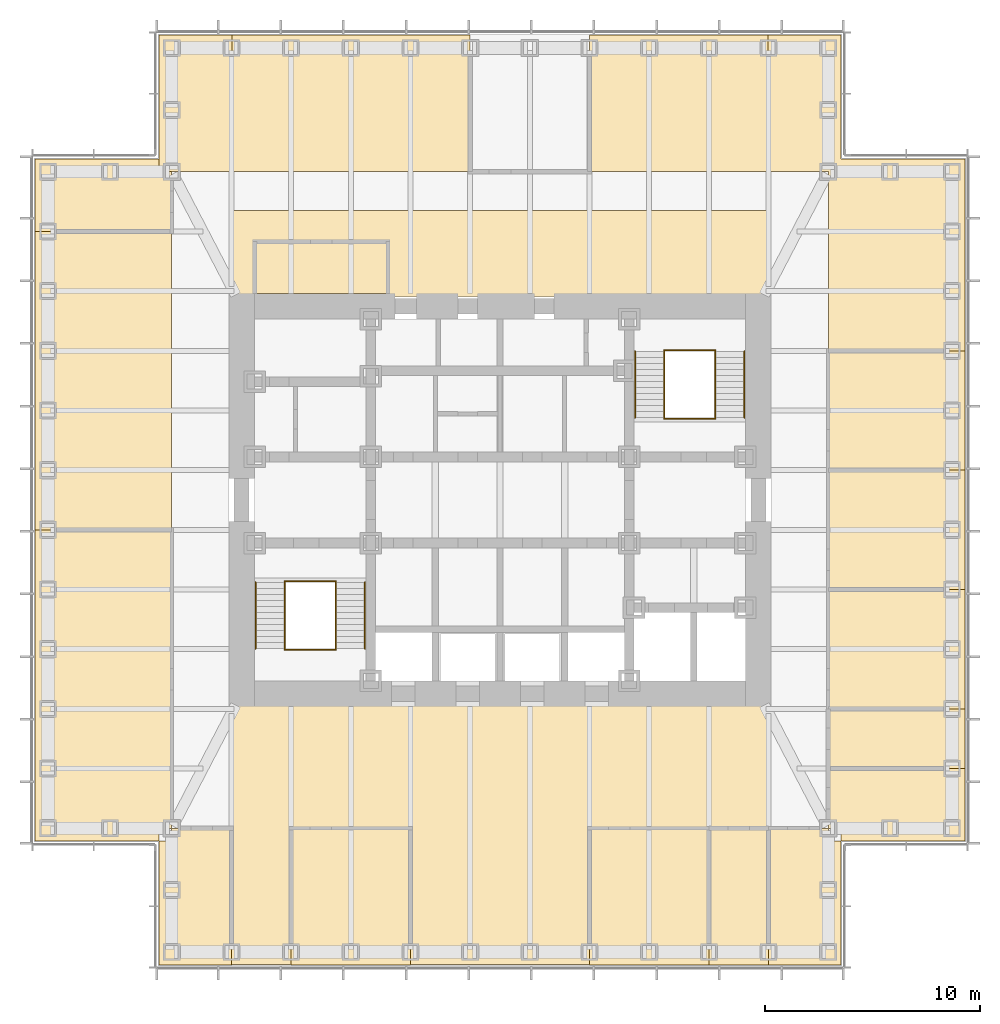
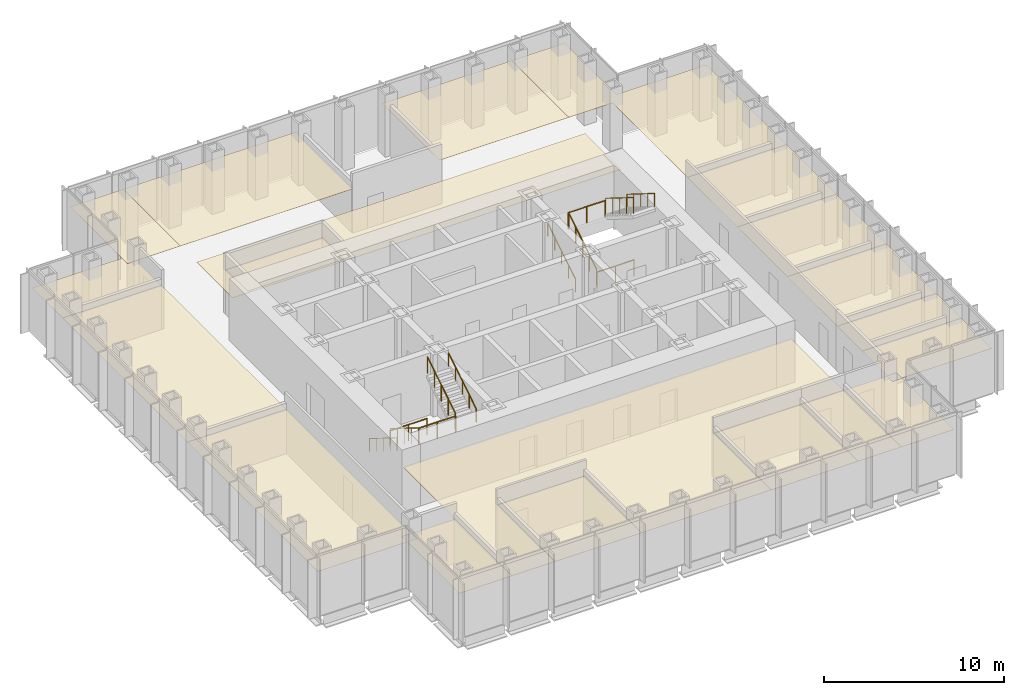
# One storey, part 16 of 16: 20 coverings, 12 railings.
"""IFC4 building model written with IfcOpenShell, lengths in metres."""

from ifc_helpers import new_model, si_unit, direction, frame, origin, origin_2d, place, context, subcontext, project, spatial, polyline, circle, outline, extrude, material, layer, layer_set, type_object, element, save


model = new_model("IFC4")

# Units and contexts
model_context = context("Model", 3, precision=1e-05, world=origin(), true_north=direction((0.0, 1.0)))
body_context = subcontext(model_context, "Body", "Model", "MODEL_VIEW")
ifc_project = project(units=[si_unit("LENGTHUNIT", "METRE"), si_unit("AREAUNIT", "SQUARE_METRE"), si_unit("VOLUMEUNIT", "CUBIC_METRE"), si_unit("PLANEANGLEUNIT", "RADIAN"), si_unit("MASSUNIT", "GRAM", prefix="KILO")], contexts=[model_context])

# Site, building, storey
site_placement = place(None, origin())
site = spatial("IfcSite", under=ifc_project, at=site_placement, CompositionType="ELEMENT")
building_placement = place(site_placement, origin())
building = spatial("IfcBuilding", under=site, at=building_placement, Name="Daluyong Arena Tower", CompositionType="ELEMENT")
storey_placement = place(building_placement, frame((0.0, 0.0, 271.300048828125)))
storey = spatial("IfcBuildingStorey", under=building, at=storey_placement, Name="L61", CompositionType="ELEMENT", Elevation=271.300048828125)

# Coverings
ifc_material_1 = material(Name="Mineral fibre ceiling tile", Category="gypsum board")
ifc_layer = layer(ifc_material_1, 0.02001953125)
ifc_layer_set = layer_set([ifc_layer], Name="Mineral fibre ceiling tile")
covering_type = type_object("IfcCoveringType", Name="Office ceiling", PredefinedType="CEILING", material=ifc_layer_set)
covering_1_placement = place(storey_placement, frame((0.0, 0.0, 2.89990234375)))
element("IfcCovering", 1, at=covering_1_placement, inside=storey, type_object=covering_type, Name="ceiling L61-01", PredefinedType="CEILING", context=body_context, shape_type="SweptSolid", body=[
    extrude(outline(polyline([(40.14990234375, 64.14990234375), (40.14990234375, 58.39990234375), (43.522705078125, 58.39990234375), (43.522705078125, 64.75), (40.75, 64.75), (40.75, 64.14990234375), (40.14990234375, 64.14990234375)])), origin(), (0.0, 0.0, 1.0), 0.02001953125),
])
covering_2_placement = place(storey_placement, frame((0.0, 0.0, 2.89990234375)))
element("IfcCovering", 2, at=covering_2_placement, inside=storey, type_object=covering_type, Name="ceiling L61-02", PredefinedType="CEILING", context=body_context, shape_type="SweptSolid", body=[
    extrude(outline(polyline([(46.29541015625, 64.75), (46.29541015625, 58.39990234375), (51.8408203125, 58.39990234375), (51.8408203125, 64.75), (46.29541015625, 64.75)])), origin(), (0.0, 0.0, 1.0), 0.02001953125),
])
covering_3_placement = place(storey_placement, frame((0.0, 0.0, 2.89990234375)))
element("IfcCovering", 3, at=covering_3_placement, inside=storey, type_object=covering_type, Name="ceiling L61-03", PredefinedType="CEILING", context=body_context, shape_type="SweptSolid", body=[
    extrude(outline(polyline([(60.1591796875, 64.75), (60.1591796875, 58.39990234375), (65.70458984375, 58.39990234375), (65.70458984375, 64.75), (60.1591796875, 64.75)])), origin(), (0.0, 0.0, 1.0), 0.02001953125),
])
covering_4_placement = place(storey_placement, frame((0.0, 0.0, 2.89990234375)))
element("IfcCovering", 4, at=covering_4_placement, inside=storey, type_object=covering_type, Name="ceiling L61-04", PredefinedType="CEILING", context=body_context, shape_type="SweptSolid", body=[
    extrude(outline(polyline([(65.70458984375, 64.75), (65.70458984375, 58.39990234375), (68.477294921875, 58.39990234375), (68.477294921875, 64.75), (65.70458984375, 64.75)])), origin(), (0.0, 0.0, 1.0), 0.02001953125),
])
covering_5_placement = place(storey_placement, frame((0.0, 0.0, 2.89990234375)))
element("IfcCovering", 5, at=covering_5_placement, inside=storey, type_object=covering_type, Name="ceiling L61-05", PredefinedType="CEILING", context=body_context, shape_type="SweptSolid", body=[
    extrude(outline(polyline([(71.85009765625, 58.39990234375), (71.85009765625, 64.14990234375), (71.25, 64.14990234375), (71.25, 64.75), (68.477294921875, 64.75), (68.477294921875, 58.39990234375), (71.85009765625, 58.39990234375)])), origin(), (0.0, 0.0, 1.0), 0.02001953125),
])
covering_6_placement = place(storey_placement, frame((0.0, 0.0, 2.89990234375)))
element("IfcCovering", 6, at=covering_6_placement, inside=storey, type_object=covering_type, Name="ceiling L61-06", PredefinedType="CEILING", context=body_context, shape_type="SweptSolid", body=[
    extrude(outline(polyline([(71.85009765625, 64.14990234375), (77.60009765625, 64.14990234375), (77.60009765625, 67.522705078125), (71.25, 67.522705078125), (71.25, 64.75), (71.85009765625, 64.75), (71.85009765625, 64.14990234375)])), origin(), (0.0, 0.0, 1.0), 0.02001953125),
])
covering_7_placement = place(storey_placement, frame((0.0, 0.0, 2.89990234375)))
element("IfcCovering", 7, at=covering_7_placement, inside=storey, type_object=covering_type, Name="ceiling L61-07", PredefinedType="CEILING", context=body_context, shape_type="SweptSolid", body=[
    extrude(outline(polyline([(71.25, 67.522705078125), (77.60009765625, 67.522705078125), (77.60009765625, 70.29541015625), (71.25, 70.29541015625), (71.25, 67.522705078125)])), origin(), (0.0, 0.0, 1.0), 0.02001953125),
])
covering_8_placement = place(storey_placement, frame((0.0, 0.0, 2.89990234375)))
element("IfcCovering", 8, at=covering_8_placement, inside=storey, type_object=covering_type, Name="ceiling L61-08", PredefinedType="CEILING", context=body_context, shape_type="SweptSolid", body=[
    extrude(outline(polyline([(71.25, 70.29541015625), (77.60009765625, 70.29541015625), (77.60009765625, 75.8408203125), (71.25, 75.8408203125), (71.25, 70.29541015625)])), origin(), (0.0, 0.0, 1.0), 0.02001953125),
])
covering_9_placement = place(storey_placement, frame((0.0, 0.0, 2.89990234375)))
element("IfcCovering", 9, at=covering_9_placement, inside=storey, type_object=covering_type, Name="ceiling L61-09", PredefinedType="CEILING", context=body_context, shape_type="SweptSolid", body=[
    extrude(outline(polyline([(71.25, 75.8408203125), (77.60009765625, 75.8408203125), (77.60009765625, 81.386474609375), (71.25, 81.386474609375), (71.25, 75.8408203125)])), origin(), (0.0, 0.0, 1.0), 0.02001953125),
])
covering_10_placement = place(storey_placement, frame((0.0, 0.0, 2.89990234375)))
element("IfcCovering", 10, at=covering_10_placement, inside=storey, type_object=covering_type, Name="ceiling L61-10", PredefinedType="CEILING", context=body_context, shape_type="SweptSolid", body=[
    extrude(outline(polyline([(71.25, 81.386474609375), (77.60009765625, 81.386474609375), (77.60009765625, 86.931884765625), (71.25, 86.931884765625), (71.25, 81.386474609375)])), origin(), (0.0, 0.0, 1.0), 0.02001953125),
])
covering_11_placement = place(storey_placement, frame((0.0, 0.0, 2.89990234375)))
element("IfcCovering", 11, at=covering_11_placement, inside=storey, type_object=covering_type, Name="ceiling L61-12", PredefinedType="CEILING", context=body_context, shape_type="SweptSolid", body=[
    extrude(outline(polyline([(34.39990234375, 64.14990234375), (40.14990234375, 64.14990234375), (40.14990234375, 64.75), (40.75, 64.75), (40.75, 78.613525390625), (34.39990234375, 78.613525390625), (34.39990234375, 64.14990234375)])), origin(), (0.0, 0.0, 1.0), 0.02001953125),
])
covering_12_placement = place(storey_placement, frame((0.0, 0.0, 2.89990234375)))
element("IfcCovering", 12, at=covering_12_placement, inside=storey, type_object=covering_type, Name="ceiling L61-13", PredefinedType="CEILING", context=body_context, shape_type="SweptSolid", body=[
    extrude(outline(polyline([(40.75, 92.477294921875), (40.75, 95.25), (40.14990234375, 95.25), (40.14990234375, 95.85009765625), (34.39990234375, 95.85009765625), (34.39990234375, 92.477294921875), (40.75, 92.477294921875)])), origin(), (0.0, 0.0, 1.0), 0.02001953125),
])
covering_13_placement = place(storey_placement, frame((0.0, 0.0, 2.89990234375)))
element("IfcCovering", 13, at=covering_13_placement, inside=storey, type_object=covering_type, Name="ceiling L61-14", PredefinedType="CEILING", context=body_context, shape_type="SweptSolid", body=[
    extrude(outline(polyline([(44.60009765625, 89.60009765625), (50.800048828125, 89.60009765625), (50.800048828125, 92.0), (44.60009765625, 92.0), (44.60009765625, 89.60009765625)])), origin(), (0.0, 0.0, 1.0), 0.02001953125),
])
covering_14_placement = place(storey_placement, frame((0.0, 0.0, 2.89990234375)))
element("IfcCovering", 14, at=covering_14_placement, inside=storey, type_object=covering_type, Name="ceiling L61-16", PredefinedType="CEILING", context=body_context, shape_type="SweptSolid", body=[
    extrude(outline(polyline([(43.522705078125, 58.39990234375), (43.550048828125, 58.39990234375), (43.550537109375, 58.409912109375), (46.285400390625, 58.409912109375), (46.285400390625, 64.760009765625), (51.850830078125, 64.760009765625), (51.850830078125, 58.409912109375), (60.149169921875, 58.409912109375), (60.149169921875, 64.760009765625), (68.43994140625, 64.760009765625), (68.43994140625, 70.5400390625), (43.56005859375, 70.5400390625), (43.56005859375, 64.75), (43.522705078125, 64.749755859375), (43.522705078125, 58.39990234375)])), origin(), (0.0, 0.0, 1.0), 0.02001953125),
])
covering_15_placement = place(storey_placement, frame((0.0, 0.0, 2.89990234375)))
element("IfcCovering", 15, at=covering_15_placement, inside=storey, type_object=covering_type, Name="ceiling L61-17", PredefinedType="CEILING", context=body_context, shape_type="SweptSolid", body=[
    extrude(outline(polyline([(71.85009765625, 101.60009765625), (68.449951171875, 101.60009765625), (68.449951171875, 95.25), (71.25, 95.25), (71.25, 86.931884765625), (77.60009765625, 86.931884765625), (77.60009765625, 95.85009765625), (71.85009765625, 95.85009765625), (71.85009765625, 101.60009765625)])), origin(), (0.0, 0.0, 1.0), 0.02001953125),
])
covering_16_placement = place(storey_placement, frame((0.0, 0.0, 2.89990234375)))
element("IfcCovering", 16, at=covering_16_placement, inside=storey, type_object=covering_type, Name="ceiling L61-18", PredefinedType="CEILING", context=body_context, shape_type="SweptSolid", body=[
    extrude(outline(polyline([(54.613525390625, 101.60009765625), (43.550048828125, 101.60009765625), (43.550048828125, 95.25), (54.613525390625, 95.25), (54.613525390625, 101.60009765625)])), origin(), (0.0, 0.0, 1.0), 0.02001953125),
])
covering_17_placement = place(storey_placement, frame((0.0, 0.0, 2.89990234375)))
element("IfcCovering", 17, at=covering_17_placement, inside=storey, type_object=covering_type, Name="ceiling L61-19", PredefinedType="CEILING", context=body_context, shape_type="SweptSolid", body=[
    extrude(outline(polyline([(68.449951171875, 101.60009765625), (60.1591796875, 101.60009765625), (60.1591796875, 95.25), (68.449951171875, 95.25), (68.449951171875, 101.60009765625)])), origin(), (0.0, 0.0, 1.0), 0.02001953125),
])
covering_18_placement = place(storey_placement, frame((0.0, 0.0, 2.89990234375)))
element("IfcCovering", 18, at=covering_18_placement, inside=storey, type_object=covering_type, Name="ceiling L61-20", PredefinedType="CEILING", context=body_context, shape_type="SweptSolid", body=[
    extrude(outline(polyline([(43.550048828125, 93.449951171875), (43.550048828125, 89.449951171875), (68.449951171875, 89.449951171875), (68.449951171875, 93.449951171875), (43.550048828125, 93.449951171875)]), holes=[polyline([(44.60009765625, 92.0), (50.800048828125, 92.0), (50.800048828125, 89.60009765625), (44.60009765625, 89.60009765625), (44.60009765625, 92.0)])]), origin(), (0.0, 0.0, 1.0), 0.02001953125),
])
covering_19_placement = place(storey_placement, frame((0.0, 0.0, 2.89990234375)))
element("IfcCovering", 19, at=covering_19_placement, inside=storey, type_object=covering_type, Name="ceiling L61-21", PredefinedType="CEILING", context=body_context, shape_type="SweptSolid", body=[
    extrude(outline(polyline([(40.75, 78.613525390625), (40.75, 92.477294921875), (34.39990234375, 92.477294921875), (34.39990234375, 78.613525390625), (40.75, 78.613525390625)])), origin(), (0.0, 0.0, 1.0), 0.02001953125),
])
covering_20_placement = place(storey_placement, frame((0.0, 0.0, 2.89990234375)))
element("IfcCovering", 20, at=covering_20_placement, inside=storey, type_object=covering_type, Name="ceiling L61-22", PredefinedType="CEILING", context=body_context, shape_type="SweptSolid", body=[
    extrude(outline(polyline([(40.14990234375, 95.25), (43.550048828125, 95.25), (43.550048828125, 101.60009765625), (40.14990234375, 101.60009765625), (40.14990234375, 95.25)])), origin(), (0.0, 0.0, 1.0), 0.02001953125),
])

# Railings
ifc_material_2 = material(Name="Stainless steel handrail", Category="steel")
railing_type_1 = type_object("IfcRailingType", Name="Stair handrail", PredefinedType="HANDRAIL", material=ifc_material_2)
railing_1_placement = place(storey_placement, frame((44.64990234375, 76.175048828125, 0.175048828125)))
element("IfcRailing", 21, at=railing_1_placement, inside=storey, type_object=railing_type_1, Name="exit stair A handrail L61", PredefinedType="HANDRAIL", context=body_context, shape_type="SweptSolid", body=[
    extrude(circle(Radius=0.02392578125, at=origin_2d()), frame((0.0, 0.0, 0.8759765625), z_axis=(0.0, -0.848028513186, 0.529950602248), x_axis=(1.0, 0.0, 0.0)), (0.0, 0.0, 1.0), 3.632080078125),
    extrude(circle(Radius=0.02099609375, at=origin_2d()), origin(), (0.0, 0.0, 1.0), 0.851806640625),
    extrude(circle(Radius=0.02099609375, at=origin_2d()), frame((0.0, -0.77001953125, 0.481201171875)), (0.0, 0.0, 1.0), 0.851806640625),
    extrude(circle(Radius=0.02099609375, at=origin_2d()), frame((0.0, -1.5400390625, 0.96240234375)), (0.0, 0.0, 1.0), 0.851806640625),
    extrude(circle(Radius=0.02099609375, at=origin_2d()), frame((0.0, -2.31005859375, 1.443603515625)), (0.0, 0.0, 1.0), 0.851806640625),
    extrude(circle(Radius=0.02099609375, at=origin_2d()), frame((0.0, -3.080078125, 1.9248046875)), (0.0, 0.0, 1.0), 0.851806640625),
])
railing_2_placement = place(storey_placement, frame((49.72509765625, 73.094970703125, 2.27490234375)))
element("IfcRailing", 22, at=railing_2_placement, inside=storey, type_object=railing_type_1, Name="exit stair A handrail L61", PredefinedType="HANDRAIL", context=body_context, shape_type="SweptSolid", body=[
    extrude(circle(Radius=0.02392578125, at=origin_2d()), frame((0.0, 0.0, 0.8759765625), z_axis=(0.0, 0.847998304005, 0.529998940003), x_axis=(-1.0, 0.0, 0.0)), (0.0, 0.0, 1.0), 3.632080078125),
    extrude(circle(Radius=0.02099609375, at=origin_2d()), origin(), (0.0, 0.0, 1.0), 0.851806640625),
    extrude(circle(Radius=0.02099609375, at=origin_2d()), frame((0.0, 0.77001953125, 0.481201171875)), (0.0, 0.0, 1.0), 0.851806640625),
    extrude(circle(Radius=0.02099609375, at=origin_2d()), frame((0.0, 1.5400390625, 0.96240234375)), (0.0, 0.0, 1.0), 0.851806640625),
    extrude(circle(Radius=0.02099609375, at=origin_2d()), frame((0.0, 2.31005859375, 1.44384765625)), (0.0, 0.0, 1.0), 0.851806640625),
    extrude(circle(Radius=0.02099609375, at=origin_2d()), frame((0.0, 3.080078125, 1.925048828125)), (0.0, 0.0, 1.0), 0.851806640625),
])
railing_3_placement = place(storey_placement, frame((62.27490234375, 83.824951171875, 0.175048828125)))
element("IfcRailing", 23, at=railing_3_placement, inside=storey, type_object=railing_type_1, Name="exit stair B handrail L61", PredefinedType="HANDRAIL", context=body_context, shape_type="SweptSolid", body=[
    extrude(circle(Radius=0.02392578125, at=origin_2d()), frame((0.0, 0.0, 0.8759765625), z_axis=(0.0, 0.848028513186, 0.529950602248), x_axis=(-1.0, 0.0, 0.0)), (0.0, 0.0, 1.0), 3.632080078125),
    extrude(circle(Radius=0.02099609375, at=origin_2d()), origin(), (0.0, 0.0, 1.0), 0.851806640625),
    extrude(circle(Radius=0.02099609375, at=origin_2d()), frame((0.0, 0.77001953125, 0.481201171875)), (0.0, 0.0, 1.0), 0.851806640625),
    extrude(circle(Radius=0.02099609375, at=origin_2d()), frame((0.0, 1.5400390625, 0.96240234375)), (0.0, 0.0, 1.0), 0.851806640625),
    extrude(circle(Radius=0.02099609375, at=origin_2d()), frame((0.0, 2.31005859375, 1.443603515625)), (0.0, 0.0, 1.0), 0.851806640625),
    extrude(circle(Radius=0.02099609375, at=origin_2d()), frame((0.0, 3.080078125, 1.9248046875)), (0.0, 0.0, 1.0), 0.851806640625),
])
railing_4_placement = place(storey_placement, frame((67.35009765625, 86.905029296875, 2.27490234375)))
element("IfcRailing", 24, at=railing_4_placement, inside=storey, type_object=railing_type_1, Name="exit stair B handrail L61", PredefinedType="HANDRAIL", context=body_context, shape_type="SweptSolid", body=[
    extrude(circle(Radius=0.02392578125, at=origin_2d()), frame((0.0, 0.0, 0.8759765625), z_axis=(0.0, -0.847998304005, 0.529998940003), x_axis=(1.0, 0.0, 0.0)), (0.0, 0.0, 1.0), 3.632080078125),
    extrude(circle(Radius=0.02099609375, at=origin_2d()), origin(), (0.0, 0.0, 1.0), 0.851806640625),
    extrude(circle(Radius=0.02099609375, at=origin_2d()), frame((0.0, -0.77001953125, 0.481201171875)), (0.0, 0.0, 1.0), 0.851806640625),
    extrude(circle(Radius=0.02099609375, at=origin_2d()), frame((0.0, -1.5400390625, 0.96240234375)), (0.0, 0.0, 1.0), 0.851806640625),
    extrude(circle(Radius=0.02099609375, at=origin_2d()), frame((0.0, -2.31005859375, 1.44384765625)), (0.0, 0.0, 1.0), 0.851806640625),
    extrude(circle(Radius=0.02099609375, at=origin_2d()), frame((0.0, -3.080078125, 1.925048828125)), (0.0, 0.0, 1.0), 0.851806640625),
])
ifc_material_3 = material(Name="Steel balustrade", Category="steel")
railing_type_2 = type_object("IfcRailingType", Name="Stair well guard 1100", PredefinedType="GUARDRAIL", material=ifc_material_3)
railing_5_placement = place(storey_placement, frame((46.0, 76.175048828125, 0.175048828125)))
element("IfcRailing", 25, at=railing_5_placement, inside=storey, type_object=railing_type_2, Name="exit stair A well guard L61", PredefinedType="GUARDRAIL", context=body_context, shape_type="SweptSolid", body=[
    extrude(circle(Radius=0.02392578125, at=origin_2d()), frame((0.0, 0.0, 1.076171875), z_axis=(0.0, -0.848028513186, 0.529950602248), x_axis=(1.0, 0.0, 0.0)), (0.0, 0.0, 1.0), 3.632080078125),
    extrude(circle(Radius=0.02099609375, at=origin_2d()), origin(), (0.0, 0.0, 1.0), 1.052001953125),
    extrude(circle(Radius=0.02099609375, at=origin_2d()), frame((0.0, -0.77001953125, 0.481201171875)), (0.0, 0.0, 1.0), 1.052001953125),
    extrude(circle(Radius=0.02099609375, at=origin_2d()), frame((0.0, -1.5400390625, 0.96240234375)), (0.0, 0.0, 1.0), 1.052001953125),
    extrude(circle(Radius=0.02099609375, at=origin_2d()), frame((0.0, -2.31005859375, 1.443603515625)), (0.0, 0.0, 1.0), 1.052001953125),
    extrude(circle(Radius=0.02099609375, at=origin_2d()), frame((0.0, -3.080078125, 1.9248046875)), (0.0, 0.0, 1.0), 1.052001953125),
])
railing_6_placement = place(storey_placement, frame((48.375, 73.094970703125, 2.27490234375)))
element("IfcRailing", 26, at=railing_6_placement, inside=storey, type_object=railing_type_2, Name="exit stair A well guard L61", PredefinedType="GUARDRAIL", context=body_context, shape_type="SweptSolid", body=[
    extrude(circle(Radius=0.02392578125, at=origin_2d()), frame((0.0, 0.0, 1.076171875), z_axis=(0.0, 0.847998304005, 0.529998940003), x_axis=(-1.0, 0.0, 0.0)), (0.0, 0.0, 1.0), 3.632080078125),
    extrude(circle(Radius=0.02099609375, at=origin_2d()), origin(), (0.0, 0.0, 1.0), 1.052001953125),
    extrude(circle(Radius=0.02099609375, at=origin_2d()), frame((0.0, 0.77001953125, 0.481201171875)), (0.0, 0.0, 1.0), 1.052001953125),
    extrude(circle(Radius=0.02099609375, at=origin_2d()), frame((0.0, 1.5400390625, 0.96240234375)), (0.0, 0.0, 1.0), 1.052001953125),
    extrude(circle(Radius=0.02099609375, at=origin_2d()), frame((0.0, 2.31005859375, 1.44384765625)), (0.0, 0.0, 1.0), 1.052001953125),
    extrude(circle(Radius=0.02099609375, at=origin_2d()), frame((0.0, 3.080078125, 1.925048828125)), (0.0, 0.0, 1.0), 1.052001953125),
])
for number, where, name in (
    (27, (46.0, 73.044921875, 2.099853515625), "exit stair A landing guard L61"),
    (28, (46.0, 76.22509765625, 0.0), "exit stair A floor landing guard L61"),
):
    element("IfcRailing", number, at=place(storey_placement, frame(where)), inside=storey, type_object=railing_type_2, Name=name, PredefinedType="GUARDRAIL", context=body_context, shape_type="SweptSolid", body=[
        extrude(circle(Radius=0.02392578125, at=origin_2d()), frame((0.0, 0.0, 1.076171875), z_axis=(1.0, 0.0, 0.0), x_axis=(0.0, 1.0, 0.0)), (0.0, 0.0, 1.0), 2.375),
        extrude(circle(Radius=0.02099609375, at=origin_2d()), origin(), (0.0, 0.0, 1.0), 1.052001953125),
        extrude(circle(Radius=0.02099609375, at=origin_2d()), frame((1.1875, 0.0, 0.0)), (0.0, 0.0, 1.0), 1.052001953125),
        extrude(circle(Radius=0.02099609375, at=origin_2d()), frame((2.375, 0.0, 0.0)), (0.0, 0.0, 1.0), 1.052001953125),
    ])
railing_7_placement = place(storey_placement, frame((63.625, 83.824951171875, 0.175048828125)))
element("IfcRailing", 29, at=railing_7_placement, inside=storey, type_object=railing_type_2, Name="exit stair B well guard L61", PredefinedType="GUARDRAIL", context=body_context, shape_type="SweptSolid", body=[
    extrude(circle(Radius=0.02392578125, at=origin_2d()), frame((0.0, 0.0, 1.076171875), z_axis=(0.0, 0.848028513186, 0.529950602248), x_axis=(-1.0, 0.0, 0.0)), (0.0, 0.0, 1.0), 3.632080078125),
    extrude(circle(Radius=0.02099609375, at=origin_2d()), origin(), (0.0, 0.0, 1.0), 1.052001953125),
    extrude(circle(Radius=0.02099609375, at=origin_2d()), frame((0.0, 0.77001953125, 0.481201171875)), (0.0, 0.0, 1.0), 1.052001953125),
    extrude(circle(Radius=0.02099609375, at=origin_2d()), frame((0.0, 1.5400390625, 0.96240234375)), (0.0, 0.0, 1.0), 1.052001953125),
    extrude(circle(Radius=0.02099609375, at=origin_2d()), frame((0.0, 2.31005859375, 1.443603515625)), (0.0, 0.0, 1.0), 1.052001953125),
    extrude(circle(Radius=0.02099609375, at=origin_2d()), frame((0.0, 3.080078125, 1.9248046875)), (0.0, 0.0, 1.0), 1.052001953125),
])
railing_8_placement = place(storey_placement, frame((66.0, 86.905029296875, 2.27490234375)))
element("IfcRailing", 30, at=railing_8_placement, inside=storey, type_object=railing_type_2, Name="exit stair B well guard L61", PredefinedType="GUARDRAIL", context=body_context, shape_type="SweptSolid", body=[
    extrude(circle(Radius=0.02392578125, at=origin_2d()), frame((0.0, 0.0, 1.076171875), z_axis=(0.0, -0.847998304005, 0.529998940003), x_axis=(1.0, 0.0, 0.0)), (0.0, 0.0, 1.0), 3.632080078125),
    extrude(circle(Radius=0.02099609375, at=origin_2d()), origin(), (0.0, 0.0, 1.0), 1.052001953125),
    extrude(circle(Radius=0.02099609375, at=origin_2d()), frame((0.0, -0.77001953125, 0.481201171875)), (0.0, 0.0, 1.0), 1.052001953125),
    extrude(circle(Radius=0.02099609375, at=origin_2d()), frame((0.0, -1.5400390625, 0.96240234375)), (0.0, 0.0, 1.0), 1.052001953125),
    extrude(circle(Radius=0.02099609375, at=origin_2d()), frame((0.0, -2.31005859375, 1.44384765625)), (0.0, 0.0, 1.0), 1.052001953125),
    extrude(circle(Radius=0.02099609375, at=origin_2d()), frame((0.0, -3.080078125, 1.925048828125)), (0.0, 0.0, 1.0), 1.052001953125),
])
for number, where, name in (
    (31, (63.625, 86.955078125, 2.099853515625), "exit stair B landing guard L61"),
    (32, (63.625, 83.77490234375, 0.0), "exit stair B floor landing guard L61"),
):
    element("IfcRailing", number, at=place(storey_placement, frame(where)), inside=storey, type_object=railing_type_2, Name=name, PredefinedType="GUARDRAIL", context=body_context, shape_type="SweptSolid", body=[
        extrude(circle(Radius=0.02392578125, at=origin_2d()), frame((0.0, 0.0, 1.076171875), z_axis=(1.0, 0.0, 0.0), x_axis=(0.0, 1.0, 0.0)), (0.0, 0.0, 1.0), 2.375),
        extrude(circle(Radius=0.02099609375, at=origin_2d()), origin(), (0.0, 0.0, 1.0), 1.052001953125),
        extrude(circle(Radius=0.02099609375, at=origin_2d()), frame((1.1875, 0.0, 0.0)), (0.0, 0.0, 1.0), 1.052001953125),
        extrude(circle(Radius=0.02099609375, at=origin_2d()), frame((2.375, 0.0, 0.0)), (0.0, 0.0, 1.0), 1.052001953125),
    ])

save(model, "model.ifc")
